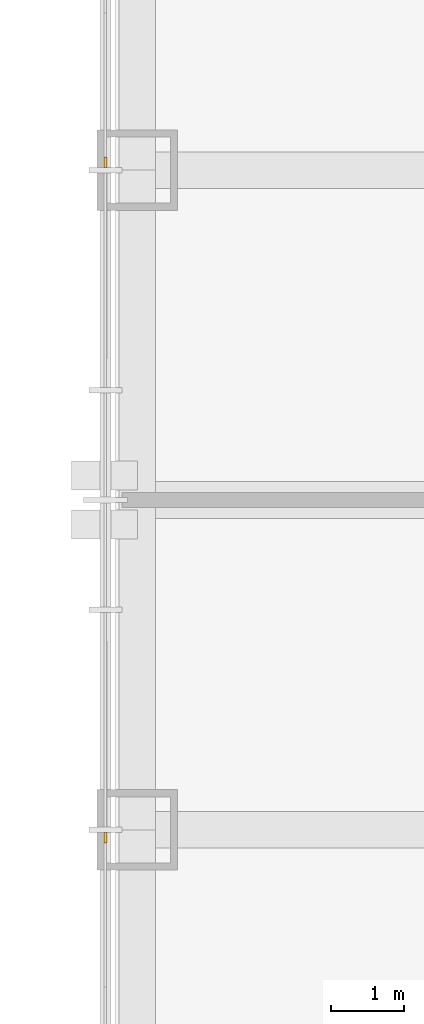
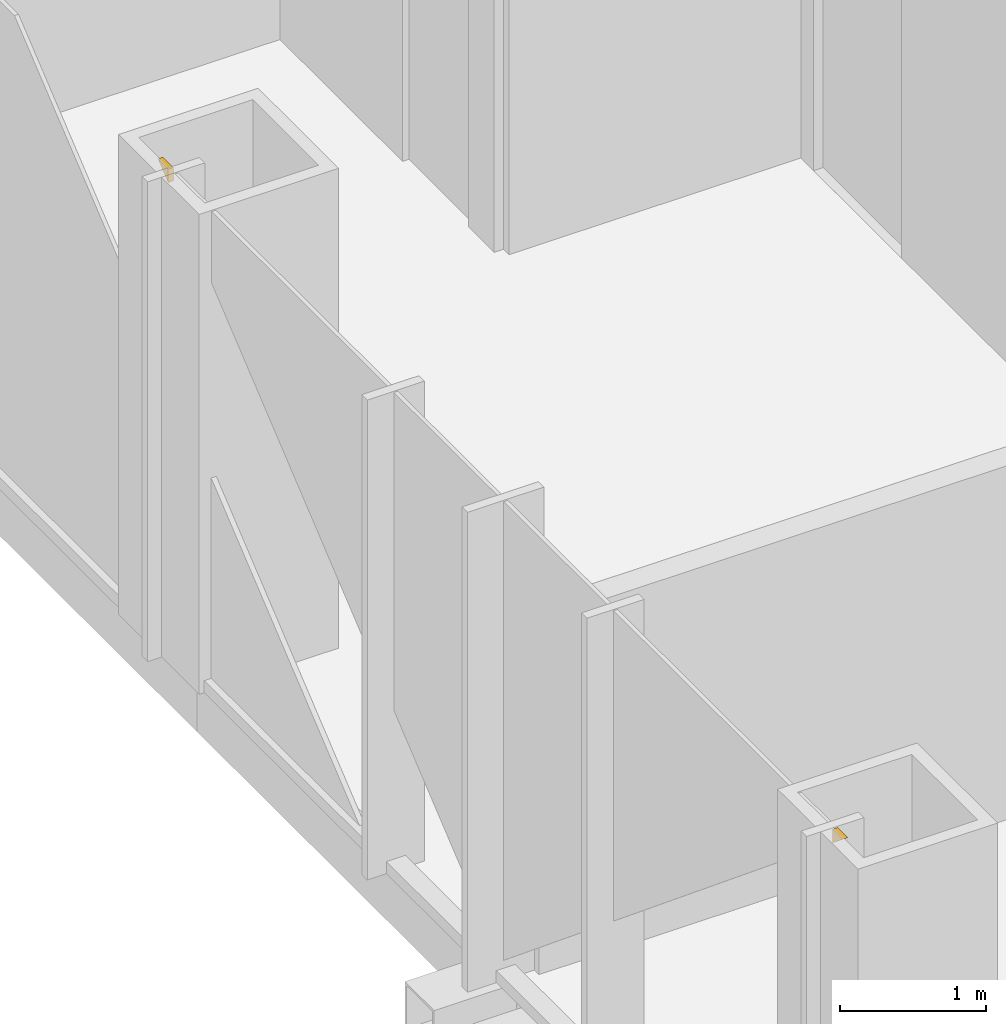
# One storey, part 15 of 17: 2 coverings.
"""IFC4 building model written with IfcOpenShell, lengths in metres."""

from ifc_helpers import new_model, si_unit, direction, frame, origin, place, context, subcontext, project, spatial, polyline, outline, extrude, material, layer, layer_set, type_object, element, save


model = new_model("IFC4")

# Units and contexts
model_context = context("Model", 3, precision=1e-05, world=origin(), true_north=direction((0.0, 1.0)))
body_context = subcontext(model_context, "Body", "Model", "MODEL_VIEW")
ifc_project = project(units=[si_unit("LENGTHUNIT", "METRE"), si_unit("AREAUNIT", "SQUARE_METRE"), si_unit("VOLUMEUNIT", "CUBIC_METRE"), si_unit("PLANEANGLEUNIT", "RADIAN"), si_unit("MASSUNIT", "GRAM", prefix="KILO")], contexts=[model_context])

# Site, building, storey
site_placement = place(None, origin())
site = spatial("IfcSite", under=ifc_project, at=site_placement, CompositionType="ELEMENT")
building_placement = place(site_placement, origin())
building = spatial("IfcBuilding", under=site, at=building_placement, Name="Malebo Sky Hospital", CompositionType="ELEMENT")
storey_placement = place(building_placement, frame((0.0, 0.0, 120.0)))
storey = spatial("IfcBuildingStorey", under=building, at=storey_placement, Name="L28", CompositionType="ELEMENT", Elevation=120.0)

# Coverings
ifc_material = material(Name="Anodised aluminium, natural silver insulated infill panel", Category="aluminium")
ifc_layer = layer(ifc_material, 0.0400390625)
ifc_layer_set = layer_set([ifc_layer], Name="BRACE INFILL PANEL 40")
covering_type = type_object("IfcCoveringType", Name="BRACE INFILL PANEL 40", PredefinedType="CLADDING", material=ifc_layer_set)
covering_1_placement = place(storey_placement, frame((35.864990234375, 57.392822265625, 3.87548828125), z_axis=(0.0, 0.0, 1.0), x_axis=(0.0, 1.0, 0.0)))
element("IfcCovering", 1, at=covering_1_placement, inside=storey, type_object=covering_type, Name="Brace infill panel 6.1", PredefinedType="CLADDING", context=body_context, shape_type="SweptSolid", body=[
    extrude(outline(polyline([(0.069580078125, 0.0), (0.069580078125, 0.114501953125), (-0.069580078125, 0.114501953125), (0.069580078125, 0.0)])), frame((0.0, 0.02001953125, 0.0), z_axis=(0.0, -1.0, 0.0), x_axis=(1.0, 0.0, 0.0)), (0.0, 0.0, 1.0), 0.0400390625),
])
covering_2_placement = place(storey_placement, frame((35.864990234375, 66.607177734375, 3.87548828125), z_axis=(0.0, 0.0, 1.0), x_axis=(0.0, 1.0, 0.0)))
element("IfcCovering", 2, at=covering_2_placement, inside=storey, type_object=covering_type, Name="Brace infill panel 11.1", PredefinedType="CLADDING", context=body_context, shape_type="SweptSolid", body=[
    extrude(outline(polyline([(-0.069580078125, 0.0), (0.069580078125, 0.114501953125), (-0.069580078125, 0.114501953125), (-0.069580078125, 0.0)])), frame((0.0, 0.02001953125, 0.0), z_axis=(0.0, -1.0, 0.0), x_axis=(1.0, 0.0, 0.0)), (0.0, 0.0, 1.0), 0.0400390625),
])

save(model, "model.ifc")
